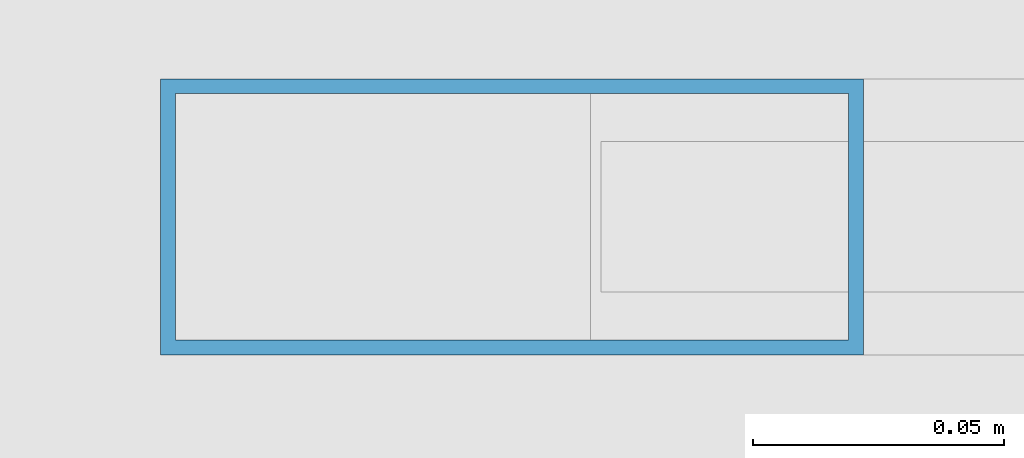
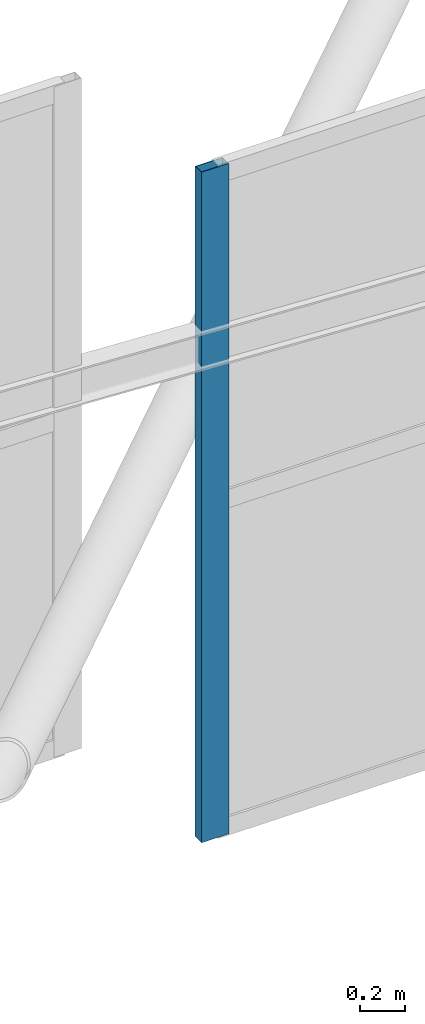
# One storey, part 95 of 397: 1 member, 1 element without a shape of its own.
"""IFC4 building model written with IfcOpenShell, lengths in metres."""

from ifc_helpers import new_model, si_unit, direction, frame, origin, origin_2d, place, context, subcontext, project, spatial, hollow_rectangle, extrude, material, material_profile, profile_set, type_object, element, aggregate, save


model = new_model("IFC4")

# Units and contexts
model_context = context("Model", 3, precision=1e-05, world=origin(), true_north=direction((0.0, 1.0)))
body_context = subcontext(model_context, "Body", "Model", "MODEL_VIEW")
ifc_project = project(units=[si_unit("LENGTHUNIT", "METRE"), si_unit("AREAUNIT", "SQUARE_METRE"), si_unit("VOLUMEUNIT", "CUBIC_METRE"), si_unit("PLANEANGLEUNIT", "RADIAN"), si_unit("MASSUNIT", "GRAM", prefix="KILO")], contexts=[model_context])

# Site, building, storey
site_placement = place(None, origin())
site = spatial("IfcSite", under=ifc_project, at=site_placement, CompositionType="ELEMENT")
building_placement = place(site_placement, origin())
building = spatial("IfcBuilding", under=site, at=building_placement, Name="Qandorah Velis Arena", CompositionType="ELEMENT")
storey_placement = place(building_placement, frame((0.0, 0.0, 27.5)))
storey = spatial("IfcBuildingStorey", under=building, at=storey_placement, Name="RF", CompositionType="ELEMENT", Elevation=27.5)

# Curtain wall, member
ifc_material_1 = material(Name="Solar-control low-E double glazing", Category="glass")
curtain_wall_type = type_object("IfcCurtainWallType", Name="ARC-CW-SYS23", PredefinedType="USERDEFINED", material=ifc_material_1)
curtain_wall_placement = place(storey_placement, origin())
curtain_wall = element("IfcCurtainWall", 1, at=curtain_wall_placement, inside=storey, type_object=curtain_wall_type, Name="Unitised curtain wall MON-3-5", ObjectType="UNITISED CURTAIN WALL", PredefinedType="USERDEFINED")
ifc_material_2 = material(Name="Champagne-bronze anodized aluminium 6063-T6", Category="aluminium")
ifc_material_profile = material_profile(ifc_material_2, hollow_rectangle(XDim=0.054931640625, YDim=0.139892578125, WallThickness=0.0029296875, at=origin_2d()), Name="ALU MULLION 55x140")
ifc_profile_set = profile_set([ifc_material_profile], Name="Champagne-bronze anodized aluminium 6063-T6")
member_type = type_object("IfcMemberType", Name="ARC-CWM-140", PredefinedType="MULLION", material=ifc_profile_set)
member_placement = place(storey_placement, frame((79.577392578125, 21.60009765625, 5.337646484375), z_axis=(0.0, 0.0, 1.0), x_axis=(0.0, 1.0, 0.0)))
member = element("IfcMember", 2, at=member_placement, type_object=member_type, Name="CW23 mullion 1", PredefinedType="MULLION", context=body_context, shape_type="SweptSolid", body=[
    extrude(hollow_rectangle(XDim=0.054931640625, YDim=0.139892578125, WallThickness=0.0029296875, at=origin_2d()), origin(), (0.0, 0.0, 1.0), 3.630126953125),
])
aggregate(curtain_wall, [member])

save(model, "model.ifc")
